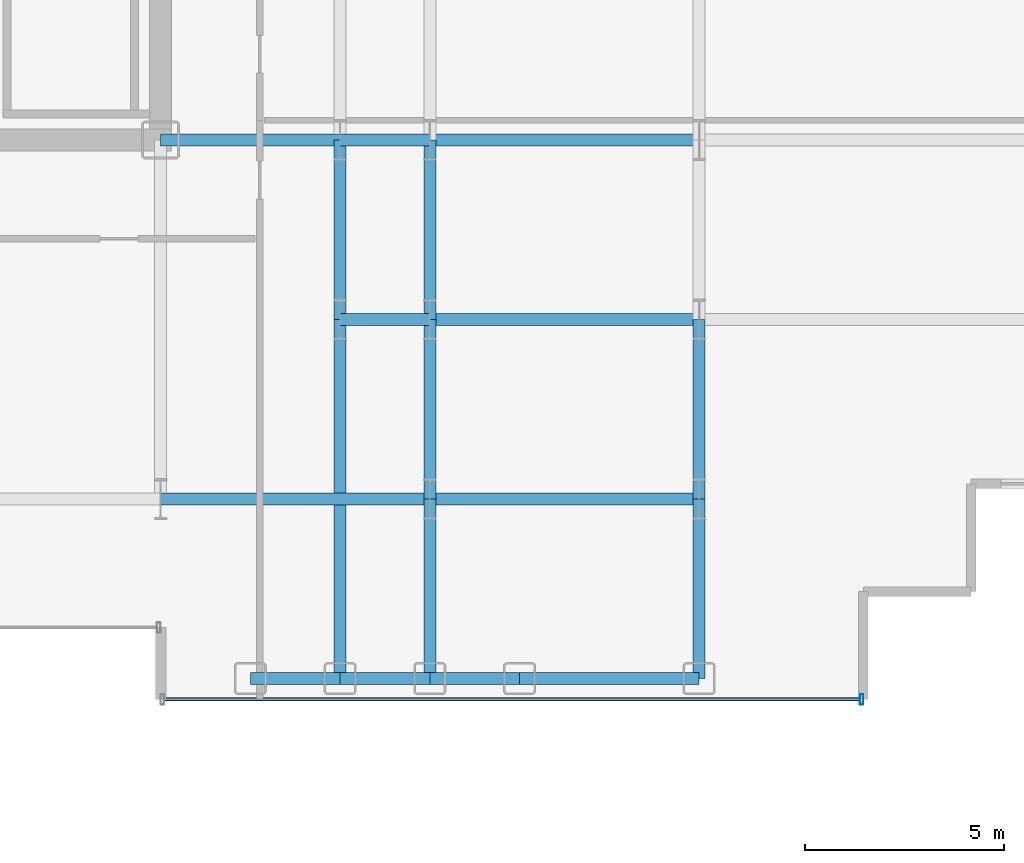
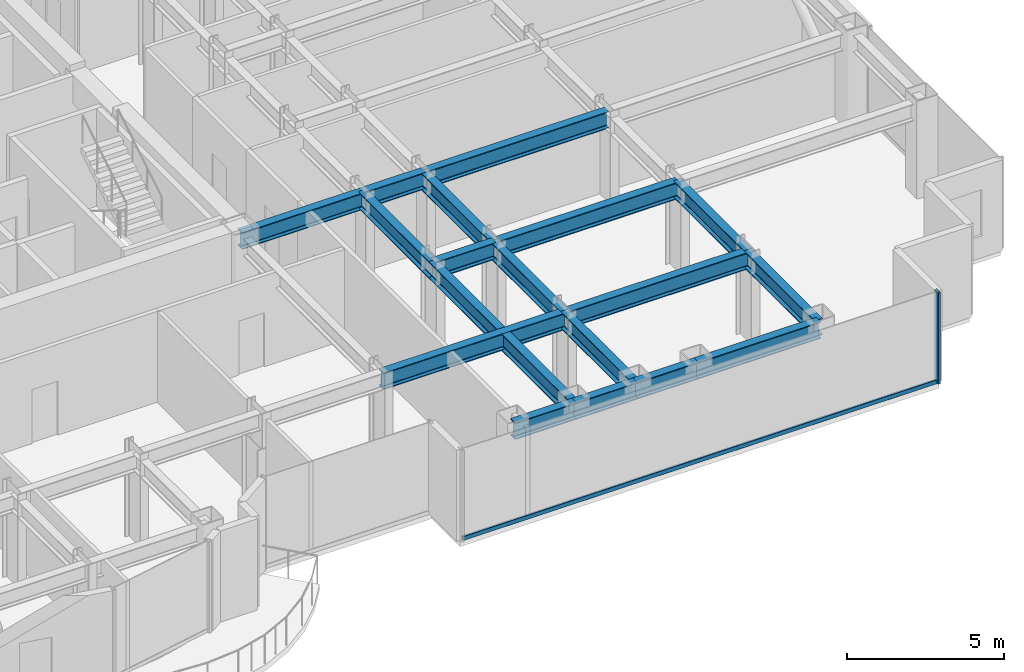
# One storey, part 9 of 29: 18 beams, 2 members, 1 element without a shape of its own.
"""IFC4 building model written with IfcOpenShell, lengths in metres."""

import ifcopenshell
import ifcopenshell.guid

model = None  # the IFC model being written
_history = None  # IfcOwnerHistory: only IFC2X3 demands one
_inside = {}  # id of a spatial element -> (the spatial element, [elements in it])
_under = {}  # id of a project, library or spatial element -> (it, [spatial elements below it])
_declared = {}  # id of a project -> (the project, [libraries it declares])
_typed = {}  # id of a type object -> (the type object, [elements of that type])
_made_of = {}  # id of a material, layer set ... -> (it, [elements and type objects made of it])


def new_model(schema):
    """Start an empty IFC model of exactly this schema.

    Asked for "IFC4X3", IfcOpenShell would pick the latest addendum, in which some entities
    have other attributes; the version numbers below select the first issue.
    IFC2X3 requires an IfcOwnerHistory on every rooted entity: one is made here for all.
    """
    global model, _history
    if schema == "IFC4X3":
        model = ifcopenshell.file(schema_version=(4, 3, 0, 0))
    else:
        model = ifcopenshell.file(schema=schema)
    _inside.clear()
    _under.clear()
    _declared.clear()
    _typed.clear()
    _made_of.clear()
    _history = None
    if model.schema == "IFC2X3":
        org = make("IfcOrganization", Name="unknown")
        user = make(
            "IfcPersonAndOrganization",
            ThePerson=make("IfcPerson", FamilyName="unknown"),
            TheOrganization=org,
        )
        app = make(
            "IfcApplication",
            ApplicationDeveloper=org,
            Version="unknown",
            ApplicationFullName="unknown",
            ApplicationIdentifier="unknown",
        )
        _history = make(
            "IfcOwnerHistory",
            OwningUser=user,
            OwningApplication=app,
            ChangeAction="ADDED",
            CreationDate=0,
        )
    return model


def make(cls, **values):
    """One entity of the class cls with the attributes given. An attribute that is None is left unset."""
    return model.create_entity(
        cls, **{name: value for name, value in values.items() if value is not None}
    )


def rooted(cls, **values):
    """An entity with a GlobalId (a new one), such as an element, a storey or a relation."""
    return make(cls, GlobalId=ifcopenshell.guid.new(), OwnerHistory=_history, **values)


def si_unit(unit_type, name, prefix=None):
    """IfcSIUnit, for example si_unit("LENGTHUNIT", "METRE", prefix="MILLI")."""
    return make("IfcSIUnit", UnitType=unit_type, Prefix=prefix, Name=name)


def assignment(units):
    """IfcUnitAssignment: the units of a project."""
    return None if units is None else make("IfcUnitAssignment", Units=units)


def point(xyz):
    """IfcCartesianPoint."""
    return None if xyz is None else make("IfcCartesianPoint", Coordinates=xyz)


def direction(xyz):
    """IfcDirection."""
    return None if xyz is None else make("IfcDirection", DirectionRatios=xyz)


def frame(location, z_axis=None, x_axis=None):
    """IfcAxis2Placement3D, a coordinate frame: its origin and axes. An axis left out is left unset."""
    return make(
        "IfcAxis2Placement3D",
        Location=point(location),
        Axis=direction(z_axis),
        RefDirection=direction(x_axis),
    )


def frame_2d(location, x_axis=None):
    """IfcAxis2Placement2D, a coordinate frame in the plane: its origin and x axis."""
    return make(
        "IfcAxis2Placement2D", Location=point(location), RefDirection=direction(x_axis)
    )


def origin():
    """The frame at (0, 0, 0) with its axes left unset."""
    return frame((0.0, 0.0, 0.0))


def origin_2d():
    """The frame at (0, 0) in the plane with its x axis left unset."""
    return frame_2d((0.0, 0.0))


def place(relative_to, where):
    """IfcLocalPlacement: puts the frame where relative to a parent placement (None: the world)."""
    return make(
        "IfcLocalPlacement", PlacementRelTo=relative_to, RelativePlacement=where
    )


def context(
    kind, dimensions, precision=None, world=None, true_north=None, identifier=None
):
    """IfcGeometricRepresentationContext, for example the 3D "Model" context."""
    return make(
        "IfcGeometricRepresentationContext",
        ContextIdentifier=identifier,
        ContextType=kind,
        CoordinateSpaceDimension=dimensions,
        Precision=precision,
        WorldCoordinateSystem=world,
        TrueNorth=true_north,
    )


def subcontext(parent, identifier, kind, view, scale=None):
    """IfcGeometricRepresentationSubContext, for example "Body" below "Model"."""
    return make(
        "IfcGeometricRepresentationSubContext",
        ContextIdentifier=identifier,
        ContextType=kind,
        ParentContext=parent,
        TargetScale=scale,
        TargetView=view,
    )


def project(units=None, contexts=None):
    """IfcProject with its units and contexts."""
    return rooted(
        "IfcProject",
        Name="project",
        RepresentationContexts=contexts,
        UnitsInContext=assignment(units),
    )


def spatial(cls, under=None, at=None, **own):
    """A site, building, storey or space (cls), placed at a placement, below another one or the project."""
    s = rooted(cls, ObjectPlacement=at, **own)
    if under is not None:
        _under.setdefault(under.id(), (under, []))[1].append(s)
    return s


def profile(cls, at=None, kind="AREA", **sizes):
    """A parametric profile (cls). Its sizes go by their IFC names, for example OverallWidth=200.0."""
    return make(cls, ProfileType=kind, Position=at, **sizes)


def hollow_rectangle(**sizes):
    """IfcRectangleHollowProfileDef."""
    return profile("IfcRectangleHollowProfileDef", **sizes)


def i_section(**sizes):
    """IfcIShapeProfileDef."""
    return profile("IfcIShapeProfileDef", **sizes)


def extrude(swept, where, along, depth):
    """IfcExtrudedAreaSolid: the profile swept, set in the frame where, extruded along a direction by depth."""
    return make(
        "IfcExtrudedAreaSolid",
        SweptArea=swept,
        Position=where,
        ExtrudedDirection=direction(along),
        Depth=depth,
    )


def shape(context_of_items, identifier, shape_type, items):
    """IfcShapeRepresentation: the items that make up one representation, for example the "Body"."""
    return make(
        "IfcShapeRepresentation",
        ContextOfItems=context_of_items,
        RepresentationIdentifier=identifier,
        RepresentationType=shape_type,
        Items=items,
    )


def source(mapping_origin, context_of_items, identifier, shape_type, items):
    """IfcRepresentationMap: a shape defined once, which mapped items show again and again."""
    return make(
        "IfcRepresentationMap",
        MappingOrigin=mapping_origin,
        MappedRepresentation=shape(context_of_items, identifier, shape_type, items),
    )


def transform(
    local_origin,
    x_axis=None,
    y_axis=None,
    z_axis=None,
    scale=None,
    scale2=None,
    scale3=None,
    uniform=True,
):
    """IfcCartesianTransformationOperator3D, or its non-uniform kind. x_axis, y_axis, z_axis: its Axis1, 2, 3."""
    if uniform:
        return make(
            "IfcCartesianTransformationOperator3D",
            Axis1=direction(x_axis),
            Axis2=direction(y_axis),
            LocalOrigin=point(local_origin),
            Scale=scale,
            Axis3=direction(z_axis),
        )
    return make(
        "IfcCartesianTransformationOperator3DnonUniform",
        Axis1=direction(x_axis),
        Axis2=direction(y_axis),
        LocalOrigin=point(local_origin),
        Scale=scale,
        Axis3=direction(z_axis),
        Scale2=scale2,
        Scale3=scale3,
    )


def mapped(mapping_source, mapping_target):
    """IfcMappedItem: shows the shape of a source again, moved by a transform."""
    return make(
        "IfcMappedItem", MappingSource=mapping_source, MappingTarget=mapping_target
    )


def material(Name=None, Category=None):
    """IfcMaterial."""
    return make("IfcMaterial", Name=Name, Category=Category)


def layer(
    of_material, thickness, ventilated=None, Name=None, Category=None, Priority=None
):
    """IfcMaterialLayer: one layer of a wall or slab, of a material (None: an air gap)."""
    return make(
        "IfcMaterialLayer",
        Material=of_material,
        LayerThickness=thickness,
        IsVentilated=ventilated,
        Name=Name,
        Category=Category,
        Priority=Priority,
    )


def layer_set(layers, Name=None):
    """IfcMaterialLayerSet."""
    return make("IfcMaterialLayerSet", MaterialLayers=layers, LayerSetName=Name)


def material_profile(
    of_material, cross_section, Name=None, Category=None, Priority=None
):
    """IfcMaterialProfile: a cross section and its material."""
    return make(
        "IfcMaterialProfile",
        Name=Name,
        Material=of_material,
        Profile=cross_section,
        Priority=Priority,
        Category=Category,
    )


def profile_set(profiles, Name=None, composite=None):
    """IfcMaterialProfileSet."""
    return make(
        "IfcMaterialProfileSet",
        Name=Name,
        MaterialProfiles=profiles,
        CompositeProfile=composite,
    )


def made_of(thing, what):
    """Note that an element or type object is made of a material, layer set ...; save() writes the relation."""
    if what is not None:
        _made_of.setdefault(what.id(), (what, []))[1].append(thing)
    return thing


def type_object(cls, material=None, **own):
    """A type object (cls), such as IfcWallType, which elements share."""
    return made_of(rooted(cls, **own), material)


def element(
    cls,
    number,
    at=None,
    inside=None,
    cuts=None,
    type_object=None,
    material=None,
    context=None,
    identifier="Body",
    shape_type=None,
    held_by="IfcProductDefinitionShape",
    body=None,
    shapes=None,
    **own,
):
    """One element of the class cls, such as IfcWall. Its Tag is "e" and its number.

    at: its placement. inside: the storey or other place that contains it. cuts: it is an
    opening in that element (IfcRelVoidsElement). A single representation is given by context,
    identifier, shape_type and body (its items); several are given by shapes. held_by: the class
    of the entity that holds the representations. save() writes the other relations.
    """
    e = rooted(cls, Tag="e%d" % number, ObjectPlacement=at, **own)
    if body is not None:
        shapes = [shape(context, identifier, shape_type, body)]
    if shapes is not None:
        e.Representation = make(held_by, Representations=shapes)
    if inside is not None:
        _inside.setdefault(inside.id(), (inside, []))[1].append(e)
    if cuts is not None:
        rooted(
            "IfcRelVoidsElement", RelatingBuildingElement=cuts, RelatedOpeningElement=e
        )
    if type_object is not None:
        _typed.setdefault(type_object.id(), (type_object, []))[1].append(e)
    return made_of(e, material)


def aggregate(whole, parts):
    """IfcRelAggregates: a whole, such as a stair, and the parts it consists of."""
    return rooted("IfcRelAggregates", RelatingObject=whole, RelatedObjects=parts)


def save(model, path):
    """Write the relations noted so far, then the file.

    IfcRelAggregates (storeys below a building ...), IfcRelContainedInSpatialStructure (elements
    in a storey), IfcRelDefinesByType, IfcRelAssociatesMaterial and IfcRelDeclares: one each for
    every whole, place, type object, material and project.
    """
    for whole, parts in _under.values():
        aggregate(whole, parts)
    for where, things in _inside.values():
        rooted(
            "IfcRelContainedInSpatialStructure",
            RelatedElements=things,
            RelatingStructure=where,
        )
    for kind, things in _typed.values():
        rooted("IfcRelDefinesByType", RelatedObjects=things, RelatingType=kind)
    for what, things in _made_of.values():
        rooted("IfcRelAssociatesMaterial", RelatedObjects=things, RelatingMaterial=what)
    for by, libraries in _declared.values():
        rooted("IfcRelDeclares", RelatingContext=by, RelatedDefinitions=libraries)
    model.write(path)


model = new_model("IFC4")

# Units and contexts
model_context = context("Model", 3, precision=1e-05, world=origin(), true_north=direction((0.0, 1.0)))
body_context = subcontext(model_context, "Body", "Model", "MODEL_VIEW")
ifc_project = project(units=[si_unit("LENGTHUNIT", "METRE"), si_unit("AREAUNIT", "SQUARE_METRE"), si_unit("VOLUMEUNIT", "CUBIC_METRE"), si_unit("PLANEANGLEUNIT", "RADIAN"), si_unit("MASSUNIT", "GRAM", prefix="KILO")], contexts=[model_context])

# Site, building, storey
site_placement = place(None, origin())
site = spatial("IfcSite", under=ifc_project, at=site_placement, CompositionType="ELEMENT")
building_placement = place(site_placement, origin())
building = spatial("IfcBuilding", under=site, at=building_placement, Name="Nefas-Gora Pilgrimage Tower", CompositionType="ELEMENT")
storey_placement = place(building_placement, frame((0.0, 0.0, 136.39990234375)))
storey = spatial("IfcBuildingStorey", under=building, at=storey_placement, Name="L33", CompositionType="ELEMENT", Elevation=136.39990234375)

# Beams
ifc_material_1 = material(Name="Steel S355", Category="steel")
ifc_material_profile_1 = material_profile(ifc_material_1, i_section(OverallWidth=0.300048828125, OverallDepth=0.64990234375, WebThickness=0.01611328125, FlangeThickness=0.031005859375, FilletRadius=0.027099609375, at=origin_2d()), Name="HEB 650")
ifc_profile_set_1 = profile_set([ifc_material_profile_1], Name="Steel S355")
beam_type_1 = type_object("IfcBeamType", Name="BM-SPN-HEB500", PredefinedType="SPANDREL", material=ifc_profile_set_1)
shared_shape_1 = source(origin(), body_context, "Body", "SweptSolid", [
    extrude(i_section(OverallWidth=0.300048828125, OverallDepth=0.64990234375, WebThickness=0.01611328125, FlangeThickness=0.031005859375, FilletRadius=0.027099609375, at=origin_2d()), origin(), (0.0, 0.0, 1.0), 4.5),
])
beam_1_placement = place(storey_placement, frame((20.25, -22.5, 3.22509765625), z_axis=(1.0, 0.0, 0.0), x_axis=(0.0, 1.0, 0.0)))
element("IfcBeam", 1, at=beam_1_placement, inside=storey, type_object=beam_type_1, Name="L33 SP-02 beam", PredefinedType="SPANDREL", context=body_context, shape_type="MappedRepresentation", body=[
    mapped(shared_shape_1, transform((0.0, 0.0, 0.0), x_axis=(1.0, 0.0, 0.0), y_axis=(0.0, 1.0, 0.0), z_axis=(0.0, 0.0, 1.0), scale=1.0)),
])
ifc_material_profile_2 = material_profile(ifc_material_1, i_section(OverallWidth=0.300048828125, OverallDepth=0.64990234375, WebThickness=0.01611328125, FlangeThickness=0.031005859375, FilletRadius=0.027099609375, at=origin_2d()), Name="HEB 650")
ifc_profile_set_2 = profile_set([ifc_material_profile_2], Name="Steel S355")
beam_type_2 = type_object("IfcBeamType", Name="BM-GIR-HEB650", PredefinedType="BEAM", material=ifc_profile_set_2)
shared_shape_2 = source(origin(), body_context, "Body", "SweptSolid", [
    extrude(i_section(OverallWidth=0.300048828125, OverallDepth=0.64990234375, WebThickness=0.01611328125, FlangeThickness=0.031005859375, FilletRadius=0.027099609375, at=origin_2d()), origin(), (0.0, 0.0, 1.0), 9.0),
])
beam_2_placement = place(storey_placement, frame((15.75, -22.5, 3.22509765625), z_axis=(0.0, 1.0, 0.0), x_axis=(-1.0, 0.0, 0.0)))
element("IfcBeam", 2, at=beam_2_placement, inside=storey, type_object=beam_type_2, Name="L33 G-03 beam", PredefinedType="BEAM", context=body_context, shape_type="MappedRepresentation", body=[
    mapped(shared_shape_2, transform((0.0, 0.0, 0.0), x_axis=(1.0, 0.0, 0.0), y_axis=(0.0, 1.0, 0.0), z_axis=(0.0, 0.0, 1.0), scale=1.0)),
])
shared_shape_3 = source(origin(), body_context, "Body", "SweptSolid", [
    extrude(i_section(OverallWidth=0.300048828125, OverallDepth=0.64990234375, WebThickness=0.01611328125, FlangeThickness=0.031005859375, FilletRadius=0.027099609375, at=origin_2d()), origin(), (0.0, 0.0, 1.0), 4.5),
])
for number, where, z_axis, x_axis, name in (
    (3, (11.25, -9.0, 3.22509765625), (1.0, 0.0, 0.0), (0.0, 1.0, 0.0), "L33 G-03 beam"),
    (4, (15.75, -13.5, 3.22509765625), (0.0, 1.0, 0.0), (-1.0, 0.0, 0.0), "L33 G-03 beam"),
    (5, (18.0, -22.5, 3.22509765625), (0.0, 1.0, 0.0), (-1.0, 0.0, 0.0), "L33 G-03 beam"),
    (6, (18.0, -18.0, 3.22509765625), (0.0, 1.0, 0.0), (-1.0, 0.0, 0.0), "L33 G-03 beam"),
    (7, (18.0, -13.5, 3.22509765625), (0.0, 1.0, 0.0), (-1.0, 0.0, 0.0), "L33 G-03 beam"),
    (8, (24.75, -22.5, 3.22509765625), (0.0, 1.0, 0.0), (-1.0, 0.0, 0.0), "L33 G-03 beam"),
    (9, (24.75, -18.0, 3.22509765625), (0.0, 1.0, 0.0), (-1.0, 0.0, 0.0), "L33 G-03 beam"),
):
    element("IfcBeam", number, at=place(storey_placement, frame(where, z_axis=z_axis, x_axis=x_axis)), inside=storey, type_object=beam_type_2, Name=name, PredefinedType="BEAM", context=body_context, shape_type="MappedRepresentation", body=[
        mapped(shared_shape_3, transform((0.0, 0.0, 0.0), x_axis=(1.0, 0.0, 0.0), y_axis=(0.0, 1.0, 0.0), z_axis=(0.0, 0.0, 1.0), scale=1.0)),
    ])
shared_shape_4 = source(origin(), body_context, "Body", "SweptSolid", [
    extrude(i_section(OverallWidth=0.300048828125, OverallDepth=0.64990234375, WebThickness=0.01611328125, FlangeThickness=0.031005859375, FilletRadius=0.027099609375, at=origin_2d()), origin(), (0.0, 0.0, 1.0), 6.75),
])
for number, where, z_axis, x_axis, name in (
    (10, (11.25, -18.0, 3.22509765625), (1.0, 0.0, 0.0), (0.0, 1.0, 0.0), "L33 G-03 beam"),
    (11, (18.0, -18.0, 3.22509765625), (1.0, 0.0, 0.0), (0.0, 1.0, 0.0), "L33 G-03 beam"),
    (12, (18.0, -13.5, 3.22509765625), (1.0, 0.0, 0.0), (0.0, 1.0, 0.0), "L33 G-03 beam"),
    (13, (18.0, -9.0, 3.22509765625), (1.0, 0.0, 0.0), (0.0, 1.0, 0.0), "L33 G-03 beam"),
):
    element("IfcBeam", number, at=place(storey_placement, frame(where, z_axis=z_axis, x_axis=x_axis)), inside=storey, type_object=beam_type_2, Name=name, PredefinedType="BEAM", context=body_context, shape_type="MappedRepresentation", body=[
        mapped(shared_shape_4, transform((0.0, 0.0, 0.0), x_axis=(1.0, 0.0, 0.0), y_axis=(0.0, 1.0, 0.0), z_axis=(0.0, 0.0, 1.0), scale=1.0)),
    ])
shared_shape_5 = source(origin(), body_context, "Body", "SweptSolid", [
    extrude(i_section(OverallWidth=0.300048828125, OverallDepth=0.64990234375, WebThickness=0.01611328125, FlangeThickness=0.031005859375, FilletRadius=0.027099609375, at=origin_2d()), origin(), (0.0, 0.0, 1.0), 2.25),
])
for number, where, z_axis, x_axis, name in (
    (14, (13.5, -22.5, 3.22509765625), (1.0, 0.0, 0.0), (0.0, 1.0, 0.0), "L33 SP-02 beam"),
    (15, (15.75, -22.5, 3.22509765625), (1.0, 0.0, 0.0), (0.0, 1.0, 0.0), "L33 SP-02 beam"),
    (16, (18.0, -22.5, 3.22509765625), (1.0, 0.0, 0.0), (0.0, 1.0, 0.0), "L33 SP-02 beam"),
):
    element("IfcBeam", number, at=place(storey_placement, frame(where, z_axis=z_axis, x_axis=x_axis)), inside=storey, type_object=beam_type_1, Name=name, PredefinedType="SPANDREL", context=body_context, shape_type="MappedRepresentation", body=[
        mapped(shared_shape_5, transform((0.0, 0.0, 0.0), x_axis=(1.0, 0.0, 0.0), y_axis=(0.0, 1.0, 0.0), z_axis=(0.0, 0.0, 1.0), scale=1.0)),
    ])
shared_shape_6 = source(origin(), body_context, "Body", "SweptSolid", [
    extrude(i_section(OverallWidth=0.300048828125, OverallDepth=0.64990234375, WebThickness=0.01611328125, FlangeThickness=0.031005859375, FilletRadius=0.027099609375, at=origin_2d()), origin(), (0.0, 0.0, 1.0), 2.25),
])
for number, where, z_axis, x_axis, name in (
    (17, (15.75, -13.5, 3.22509765625), (1.0, 0.0, 0.0), (0.0, 1.0, 0.0), "L33 G-03 beam"),
    (18, (15.75, -9.0, 3.22509765625), (1.0, 0.0, 0.0), (0.0, 1.0, 0.0), "L33 G-03 beam"),
):
    element("IfcBeam", number, at=place(storey_placement, frame(where, z_axis=z_axis, x_axis=x_axis)), inside=storey, type_object=beam_type_2, Name=name, PredefinedType="BEAM", context=body_context, shape_type="MappedRepresentation", body=[
        mapped(shared_shape_6, transform((0.0, 0.0, 0.0), x_axis=(1.0, 0.0, 0.0), y_axis=(0.0, 1.0, 0.0), z_axis=(0.0, 0.0, 1.0), scale=1.0)),
    ])

# Curtain wall, members
ifc_material_2 = material(Name="Dark ceramic-fritted solar-control aluminium-glass curtain wall", Category="aluminium")
ifc_layer = layer(ifc_material_2, 0.219970703125)
ifc_layer_set = layer_set([ifc_layer], Name="Dark ceramic-fritted solar-control aluminium-glass curtain wall")
curtain_wall_type = type_object("IfcCurtainWallType", Name="CW-SYS-2", PredefinedType="NOTDEFINED", material=ifc_layer_set)
curtain_wall_placement = place(storey_placement, origin())
curtain_wall = element("IfcCurtainWall", 19, at=curtain_wall_placement, inside=storey, type_object=curtain_wall_type, Name="L33 Unitised Curtain Wall CW2", PredefinedType="NOTDEFINED")
ifc_material_3 = material(Name="Anodised architectural aluminium", Category="aluminium")
ifc_material_profile_3 = material_profile(ifc_material_3, hollow_rectangle(XDim=0.090087890625, YDim=0.260009765625, WallThickness=0.006103515625, InnerFilletRadius=0.006103515625, OuterFilletRadius=0.011962890625, at=origin_2d()), Name="ALU MULLION 90x260")
ifc_profile_set_3 = profile_set([ifc_material_profile_3], Name="Anodised architectural aluminium")
member_type_1 = type_object("IfcMemberType", Name="CWM-MUL-2", PredefinedType="MULLION", material=ifc_profile_set_3)
shared_shape_7 = source(origin(), body_context, "Body", "SweptSolid", [
    extrude(hollow_rectangle(XDim=0.090087890625, YDim=0.260009765625, WallThickness=0.006103515625, InnerFilletRadius=0.006103515625, OuterFilletRadius=0.011962890625, at=origin_2d()), origin(), (0.0, 0.0, 1.0), 3.550048828125),
])
member_1_placement = place(storey_placement, frame((28.824951171875, -23.02001953125, 0.0), z_axis=(0.0, 0.0, 1.0), x_axis=(1.0, 0.0, 0.0)))
member_1 = element("IfcMember", 20, at=member_1_placement, type_object=member_type_1, Name="CW2 Mullion 2", PredefinedType="MULLION", context=body_context, shape_type="MappedRepresentation", body=[
    mapped(shared_shape_7, transform((0.0, 0.0, 0.0), x_axis=(1.0, 0.0, 0.0), y_axis=(0.0, 1.0, 0.0), z_axis=(0.0, 0.0, 1.0), scale=1.0)),
])
ifc_material_profile_4 = material_profile(ifc_material_3, hollow_rectangle(XDim=0.080078125, YDim=0.159912109375, WallThickness=0.00439453125, InnerFilletRadius=0.00439453125, OuterFilletRadius=0.009033203125, at=origin_2d()), Name="ALU TRANSOM 80x160")
ifc_profile_set_4 = profile_set([ifc_material_profile_4], Name="Anodised architectural aluminium")
member_type_2 = type_object("IfcMemberType", Name="CWM-TRN-2", PredefinedType="USERDEFINED", material=ifc_profile_set_4)
shared_shape_8 = source(origin(), body_context, "Body", "SweptSolid", [
    extrude(hollow_rectangle(XDim=0.080078125, YDim=0.159912109375, WallThickness=0.00439453125, InnerFilletRadius=0.00439453125, OuterFilletRadius=0.009033203125, at=origin_2d()), origin(), (0.0, 0.0, 1.0), 17.43994140625),
])
member_2_placement = place(storey_placement, frame((11.340087890625, -23.02001953125, 0.050048828125), z_axis=(1.0, 0.0, 0.0), x_axis=(0.0, 1.0, 0.0)))
member_2 = element("IfcMember", 21, at=member_2_placement, type_object=member_type_2, Name="CW2 Spandrel Transom", ObjectType="TRANSOM", PredefinedType="USERDEFINED", context=body_context, shape_type="MappedRepresentation", body=[
    mapped(shared_shape_8, transform((0.0, 0.0, 0.0), x_axis=(1.0, 0.0, 0.0), y_axis=(0.0, 1.0, 0.0), z_axis=(0.0, 0.0, 1.0), scale=1.0)),
])
aggregate(curtain_wall, [member_1, member_2])

save(model, "model.ifc")
